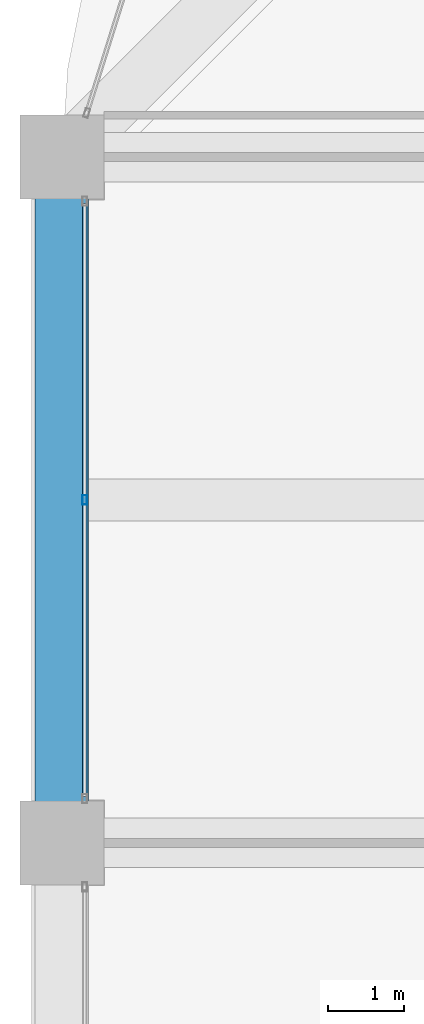
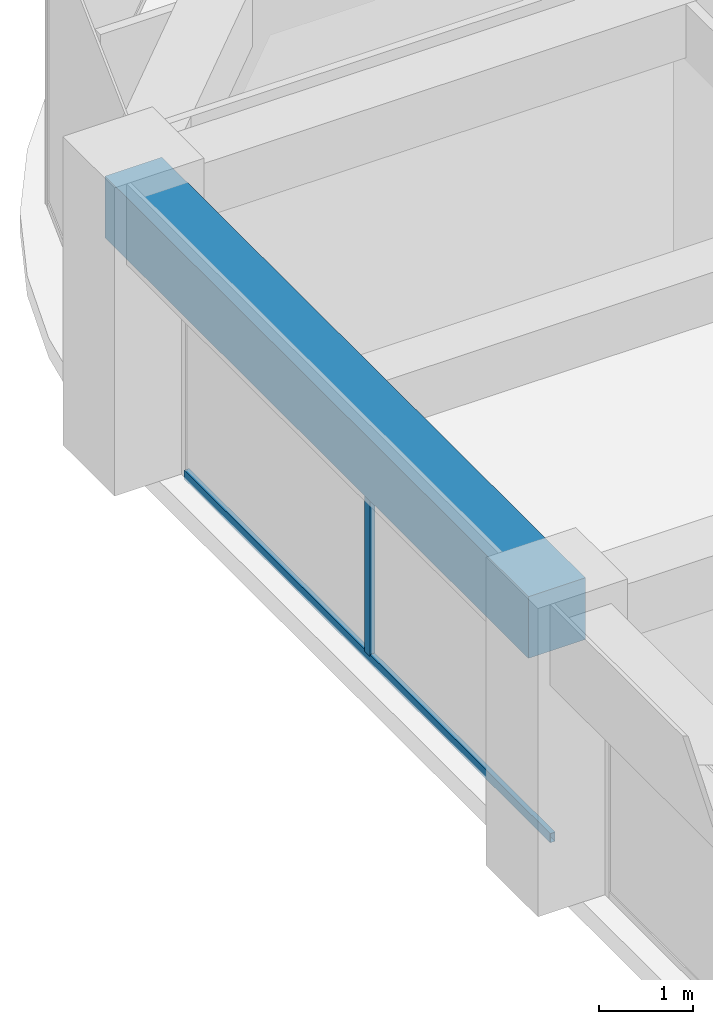
# One storey, part 16 of 45: 2 members, 1 beam, 1 element without a shape of its own.
"""IFC4 building model written with IfcOpenShell, lengths in metres."""

from ifc_helpers import new_model, si_unit, direction, frame, origin, origin_2d, place, context, subcontext, project, spatial, rectangle, hollow_rectangle, extrude, material, material_profile, profile_set, type_object, element, aggregate, save


model = new_model("IFC4")

# Units and contexts
model_context = context("Model", 3, precision=1e-05, world=origin(), true_north=direction((0.0, 1.0)))
body_context = subcontext(model_context, "Body", "Model", "MODEL_VIEW")
ifc_project = project(units=[si_unit("LENGTHUNIT", "METRE"), si_unit("AREAUNIT", "SQUARE_METRE"), si_unit("VOLUMEUNIT", "CUBIC_METRE"), si_unit("PLANEANGLEUNIT", "RADIAN"), si_unit("MASSUNIT", "GRAM", prefix="KILO")], contexts=[model_context])

# Site, building, storey
site_placement = place(None, origin())
site = spatial("IfcSite", under=ifc_project, at=site_placement, CompositionType="ELEMENT")
building_placement = place(site_placement, origin())
building = spatial("IfcBuilding", under=site, at=building_placement, Name="Zorevar Civic Tower", CompositionType="ELEMENT")
storey_placement = place(building_placement, frame((0.0, 0.0, 303.39990234375)))
storey = spatial("IfcBuildingStorey", under=building, at=storey_placement, Name="L74", CompositionType="ELEMENT", Elevation=303.39990234375)

# Curtain wall, members
ifc_material_1 = material(Name="Dark grey solar-control glass in black aluminium frame", Category="aluminium")
curtain_wall_type = type_object("IfcCurtainWallType", Name="Curtain wall CW5 top zone", PredefinedType="NOTDEFINED", material=ifc_material_1)
curtain_wall_placement = place(storey_placement, origin())
curtain_wall = element("IfcCurtainWall", 1, at=curtain_wall_placement, inside=storey, type_object=curtain_wall_type, Name="CW5 L74", PredefinedType="NOTDEFINED")
ifc_material_2 = material(Name="Aluminium, black anodised", Category="aluminium")
ifc_material_profile_1 = material_profile(ifc_material_2, hollow_rectangle(XDim=0.06005859375, YDim=0.1201171875, WallThickness=0.0029296875, at=origin_2d()), Name="AL 120x60x3")
ifc_profile_set_1 = profile_set([ifc_material_profile_1], Name="Aluminium, black anodised")
member_type_1 = type_object("IfcMemberType", Name="CW5 mullion AL 120x60x3", PredefinedType="MULLION", material=ifc_profile_set_1)
member_1_placement = place(storey_placement, frame((9.300048828125, 31.5, 0.06005859375), z_axis=(0.0, 0.0, 1.0), x_axis=(-1.0, 0.0, 0.0)))
member_1 = element("IfcMember", 2, at=member_1_placement, type_object=member_type_1, Name="CW5 mullion 2", PredefinedType="MULLION", context=body_context, shape_type="SweptSolid", body=[
    extrude(hollow_rectangle(XDim=0.06005859375, YDim=0.1201171875, WallThickness=0.0029296875, at=origin_2d()), origin(), (0.0, 0.0, 1.0), 2.89013671875),
])
ifc_material_3 = material(Name="Aluminium, black anodised", Category="aluminium")
ifc_material_profile_2 = material_profile(ifc_material_3, hollow_rectangle(XDim=0.06005859375, YDim=0.1201171875, WallThickness=0.0029296875, at=origin_2d()), Name="AL 120x60x3")
ifc_profile_set_2 = profile_set([ifc_material_profile_2], Name="Aluminium, black anodised")
member_type_2 = type_object("IfcMemberType", Name="CW5 transom AL 120x60x3", PredefinedType="USERDEFINED", material=ifc_profile_set_2)
member_2_placement = place(storey_placement, frame((9.300048828125, 27.610107421875, 0.030029296875), z_axis=(0.0, 1.0, 0.0), x_axis=(-1.0, 0.0, 0.0)))
member_2 = element("IfcMember", 3, at=member_2_placement, type_object=member_type_2, Name="CW5 sill transom", ObjectType="TRANSOM", PredefinedType="USERDEFINED", context=body_context, shape_type="SweptSolid", body=[
    extrude(hollow_rectangle(XDim=0.06005859375, YDim=0.1201171875, WallThickness=0.0029296875, at=origin_2d()), origin(), (0.0, 0.0, 1.0), 7.77978515625),
])
aggregate(curtain_wall, [member_1, member_2])

# Beam
ifc_material_4 = material(Name="Concrete C50/60", Category="concrete")
ifc_material_profile_3 = material_profile(ifc_material_4, rectangle(XDim=0.699951171875, YDim=0.800048828125, at=origin_2d()), Name="RC 700x800")
ifc_profile_set_3 = profile_set([ifc_material_profile_3], Name="Concrete C50/60")
beam_type = type_object("IfcBeamType", Name="Edge beam RC 700x800", PredefinedType="SPANDREL", material=ifc_profile_set_3)
beam_placement = place(storey_placement, frame((9.0, 27.0, 3.35009765625), z_axis=(0.0, 1.0, 0.0), x_axis=(-1.0, 0.0, 0.0)))
element("IfcBeam", 4, at=beam_placement, inside=storey, type_object=beam_type, Name="Edge beam L75", PredefinedType="SPANDREL", context=body_context, shape_type="SweptSolid", body=[
    extrude(rectangle(XDim=0.699951171875, YDim=0.800048828125, at=origin_2d()), origin(), (0.0, 0.0, 1.0), 9.0),
])

save(model, "model.ifc")
